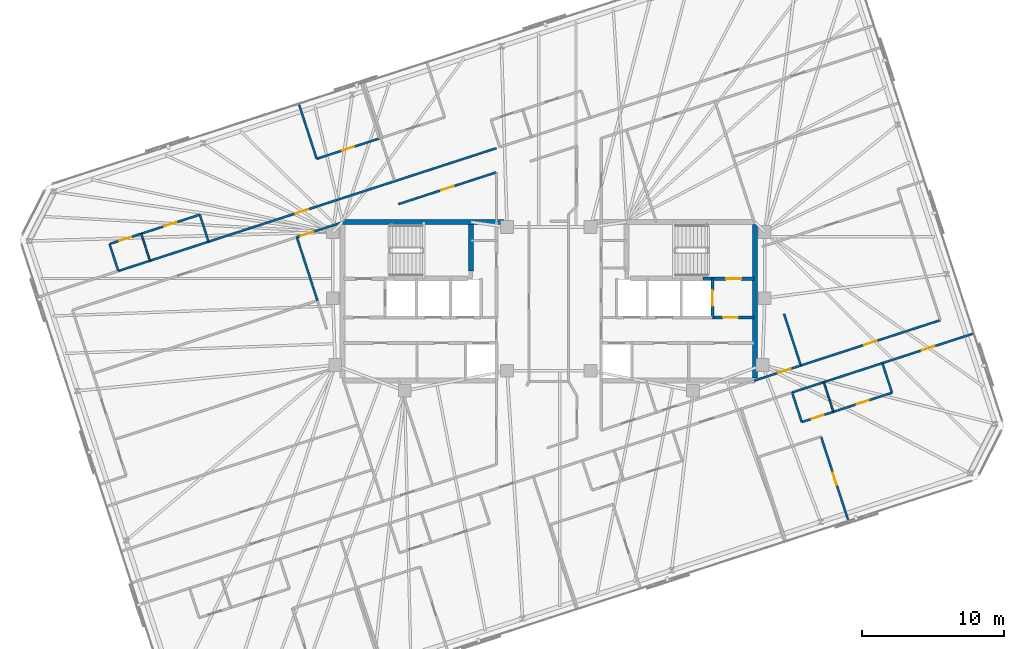
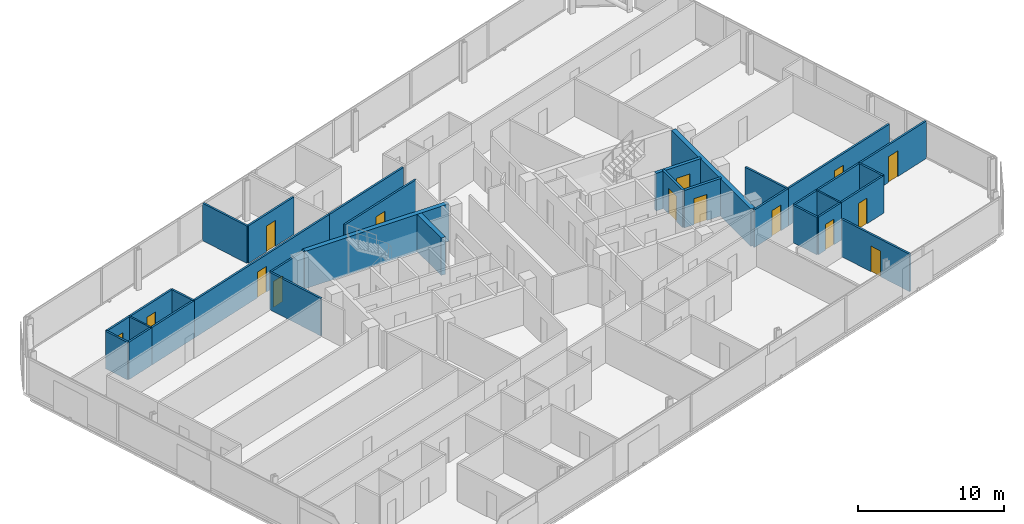
# One storey, part 16 of 19: 32 walls, 15 doors, 15 openings.
"""IFC4 building model written with IfcOpenShell, lengths in metres."""

from ifc_helpers import new_model, si_unit, direction, frame, frame_2d, origin, place, context, subcontext, project, spatial, rectangle, extrude, material, layer, layer_set, type_object, element, fill, save


model = new_model("IFC4")

# Units and contexts
model_context = context("Model", 3, precision=1e-05, world=origin(), true_north=direction((0.0, 1.0)))
body_context = subcontext(model_context, "Body", "Model", "MODEL_VIEW")
ifc_project = project(units=[si_unit("LENGTHUNIT", "METRE"), si_unit("AREAUNIT", "SQUARE_METRE"), si_unit("VOLUMEUNIT", "CUBIC_METRE"), si_unit("PLANEANGLEUNIT", "RADIAN"), si_unit("MASSUNIT", "GRAM", prefix="KILO")], contexts=[model_context])

# Site, building, storey
site_placement = place(None, origin())
site = spatial("IfcSite", under=ifc_project, at=site_placement, CompositionType="ELEMENT")
building_placement = place(site_placement, origin())
building = spatial("IfcBuilding", under=site, at=building_placement, Name="Menara Jurai Vektor", CompositionType="ELEMENT")
storey_placement = place(building_placement, frame((0.0, 0.0, 241.050048828125)))
storey = spatial("IfcBuildingStorey", under=building, at=storey_placement, Name="L64", CompositionType="ELEMENT", Elevation=241.050048828125)

# Wall, opening, door
ifc_material_1 = material(Name="Concrete C40/50", Category="concrete")
ifc_layer_1 = layer(ifc_material_1, 0.25)
ifc_layer_set_1 = layer_set([ifc_layer_1], Name="Concrete C40/50")
wall_type_1 = type_object("IfcWallType", Name="INT-WALL-CORE-250", PredefinedType="STANDARD", material=ifc_layer_set_1)
wall_1_placement = place(storey_placement, frame((10.89990234375, 1.60009765625, 0.0), z_axis=(0.0, 0.0, 1.0), x_axis=(1.0, 0.0, 0.0)))
wall_1 = element("IfcWall", 1, at=wall_1_placement, inside=storey, type_object=wall_type_1, Name="Interior Wall IW-250 L64", PredefinedType="STANDARD", context=body_context, shape_type="SweptSolid", body=[
    extrude(rectangle(XDim=3.60009765625, YDim=0.25, at=frame_2d((1.800048828125, 0.0))), origin(), (0.0, 0.0, 1.0), 3.125),
])
opening_1_placement = place(wall_1_placement, frame((1.6201171875, 0.0, 0.0)))
opening_1 = element("IfcOpeningElement", 2, at=opening_1_placement, cuts=wall_1, Name="Opening D-L64-ST2", PredefinedType="OPENING", context=body_context, shape_type="SweptSolid", body=[
    extrude(rectangle(XDim=1.050048828125, YDim=2.14990234375, at=frame_2d((0.52490234375, 1.074951171875))), frame((0.0, 0.135009765625, 0.0), z_axis=(0.0, -1.0, 0.0), x_axis=(1.0, 0.0, 0.0)), (0.0, 0.0, 1.0), 0.27001953125),
])
ifc_material_2 = material(Name="Fire-Rated Steel Door", Category="steel")
door_type_1 = type_object("IfcDoorType", Name="DR-STAIR-1050", OperationType="NOTDEFINED", PredefinedType="DOOR", material=ifc_material_2)
door_1_placement = place(opening_1_placement, origin())
door_1 = element("IfcDoor", 3, at=door_1_placement, inside=storey, type_object=door_type_1, Name="Exit Stair ST2 Door L64", OperationType="SINGLE_SWING_LEFT", OverallHeight=2.14990234375, OverallWidth=1.050048828125, PredefinedType="DOOR", context=body_context, shape_type="SweptSolid", body=[
    extrude(rectangle(XDim=1.050048828125, YDim=2.14990234375, at=frame_2d((0.52490234375, 1.074951171875))), frame((0.0, 0.02490234375, 0.0), z_axis=(0.0, -1.0, 0.0), x_axis=(1.0, 0.0, 0.0)), (0.0, 0.0, 1.0), 0.050048828125),
])
fill(opening_1, door_1)

wall_2_placement = place(storey_placement, frame((11.550048828125, -1.14990234375, 0.0), z_axis=(0.0, 0.0, 1.0), x_axis=(0.0, 1.0, 0.0)))
wall_2 = element("IfcWall", 4, at=wall_2_placement, inside=storey, type_object=wall_type_1, Name="Interior Wall IW-250 L64", PredefinedType="STANDARD", context=body_context, shape_type="SweptSolid", body=[
    extrude(rectangle(XDim=2.75, YDim=0.199951171875, at=frame_2d((1.375, 0.0))), origin(), (0.0, 0.0, 1.0), 3.125),
])
opening_2_placement = place(wall_2_placement, frame((0.824951171875, 0.0, 0.0)))
opening_2 = element("IfcOpeningElement", 5, at=opening_2_placement, cuts=wall_2, Name="Opening LD-L64-FL2", PredefinedType="OPENING", context=body_context, shape_type="SweptSolid", body=[
    extrude(rectangle(XDim=1.10009765625, YDim=2.14990234375, at=frame_2d((0.550048828125, 1.074951171875))), frame((0.0, 0.10986328125, 0.0), z_axis=(0.0, -1.0, 0.0), x_axis=(1.0, 0.0, 0.0)), (0.0, 0.0, 1.0), 0.219970703125),
])
ifc_material_3 = material(Name="Stainless Steel Sliding Lift Landing Door", Category="steel")
door_type_2 = type_object("IfcDoorType", Name="DR-LIFT-FIRE-1100", OperationType="NOTDEFINED", PredefinedType="DOOR", material=ifc_material_3)
door_2_placement = place(opening_2_placement, origin())
door_2 = element("IfcDoor", 6, at=door_2_placement, inside=storey, type_object=door_type_2, Name="Lift Landing Door FL2 L64", OperationType="SLIDING_TO_RIGHT", OverallHeight=2.14990234375, OverallWidth=1.10009765625, PredefinedType="DOOR", context=body_context, shape_type="SweptSolid", body=[
    extrude(rectangle(XDim=1.10009765625, YDim=2.14990234375, at=frame_2d((0.550048828125, 1.074951171875))), frame((0.0, 0.02490234375, 0.0), z_axis=(0.0, -1.0, 0.0), x_axis=(1.0, 0.0, 0.0)), (0.0, 0.0, 1.0), 0.050048828125),
])
fill(opening_2, door_2)

wall_3_placement = place(storey_placement, frame((11.550048828125, -1.14990234375, 0.0), z_axis=(0.0, 0.0, 1.0), x_axis=(1.0, 0.0, 0.0)))
wall_3 = element("IfcWall", 7, at=wall_3_placement, inside=storey, type_object=wall_type_1, Name="Interior Wall IW-250 L64", PredefinedType="STANDARD", context=body_context, shape_type="SweptSolid", body=[
    extrude(rectangle(XDim=2.949951171875, YDim=0.199951171875, at=frame_2d((1.47509765625, 0.0))), origin(), (0.0, 0.0, 1.0), 3.125),
])
opening_3_placement = place(wall_3_placement, frame((0.75, 0.0, 0.0)))
opening_3 = element("IfcOpeningElement", 8, at=opening_3_placement, cuts=wall_3, Name="Opening D-L64-FFE", PredefinedType="OPENING", context=body_context, shape_type="SweptSolid", body=[
    extrude(rectangle(XDim=1.050048828125, YDim=2.179931640625, at=frame_2d((0.52490234375, 1.08984375))), frame((0.0, 0.10986328125, 0.0), z_axis=(0.0, -1.0, 0.0), x_axis=(1.0, 0.0, 0.0)), (0.0, 0.0, 1.0), 0.219970703125),
])
ifc_material_4 = material(Name="Fire-Rated Timber Door", Category="wood")
door_type_3 = type_object("IfcDoorType", Name="DR-LOBBY-1050", OperationType="NOTDEFINED", PredefinedType="DOOR", material=ifc_material_4)
door_3_placement = place(opening_3_placement, origin())
door_3 = element("IfcDoor", 9, at=door_3_placement, inside=storey, type_object=door_type_3, Name="Fire Lift Lobby Door E L64", OperationType="SINGLE_SWING_LEFT", OverallHeight=2.179931640625, OverallWidth=1.050048828125, PredefinedType="DOOR", context=body_context, shape_type="SweptSolid", body=[
    extrude(rectangle(XDim=1.050048828125, YDim=2.179931640625, at=frame_2d((0.52490234375, 1.08984375))), frame((0.0, 0.02490234375, 0.0), z_axis=(0.0, -1.0, 0.0), x_axis=(1.0, 0.0, 0.0)), (0.0, 0.0, 1.0), 0.050048828125),
])
fill(opening_3, door_3)

ifc_material_5 = material(Name="Gypsum Fireboard Partition", Category="gypsum")
ifc_layer_2 = layer(ifc_material_5, 0.14990234375)
ifc_layer_set_2 = layer_set([ifc_layer_2], Name="Gypsum Fireboard Partition")
wall_type_2 = type_object("IfcWallType", Name="INT-WALL-CORR-150", PredefinedType="PARTITIONING", material=ifc_layer_set_2)
wall_4_placement = place(storey_placement, frame((-24.022216796875, 4.2099609375, 0.0), z_axis=(0.0, 0.0, 1.0), x_axis=(0.951058997127, 0.309009359055, 0.0)))
wall_4 = element("IfcWall", 10, at=wall_4_placement, inside=storey, type_object=wall_type_2, Name="Interior Wall IW-150 L64", PredefinedType="PARTITIONING", context=body_context, shape_type="SweptSolid", body=[
    extrude(rectangle(XDim=13.81689453125, YDim=0.14990234375, at=frame_2d((6.908447265625, 0.0))), origin(), (0.0, 0.0, 1.0), 3.125),
])
opening_4_placement = place(wall_4_placement, frame((6.43359375, 0.0, 0.0)))
opening_4 = element("IfcOpeningElement", 11, at=opening_4_placement, cuts=wall_4, Name="Opening D64-09", PredefinedType="OPENING", context=body_context, shape_type="SweptSolid", body=[
    extrude(rectangle(XDim=0.949951171875, YDim=2.14990234375, at=frame_2d((0.47509765625, 1.074951171875))), frame((0.0, 0.0849609375, 0.0), z_axis=(0.0, -1.0, 0.0), x_axis=(1.0, 0.0, 0.0)), (0.0, 0.0, 1.0), 0.169921875),
])
ifc_material_6 = material(Name="Solid Core Timber Fire Door", Category="wood")
door_type_4 = type_object("IfcDoorType", Name="DR-ENTRY-950", OperationType="NOTDEFINED", PredefinedType="DOOR", material=ifc_material_6)
door_4_placement = place(opening_4_placement, origin())
door_4 = element("IfcDoor", 12, at=door_4_placement, inside=storey, type_object=door_type_4, Name="Interior Door D64-09", OperationType="SINGLE_SWING_RIGHT", OverallHeight=2.14990234375, OverallWidth=0.949951171875, PredefinedType="DOOR", context=body_context, shape_type="SweptSolid", body=[
    extrude(rectangle(XDim=0.949951171875, YDim=2.14990234375, at=frame_2d((0.47509765625, 1.074951171875))), frame((0.0, 0.02490234375, 0.0), z_axis=(0.0, -1.0, 0.0), x_axis=(1.0, 0.0, 0.0)), (0.0, 0.0, 1.0), 0.050048828125),
])
fill(opening_4, door_4)

# Walls
wall_5_placement = place(storey_placement, frame((-30.394287109375, 2.139404296875, 0.0), z_axis=(0.0, 0.0, 1.0), x_axis=(0.951045519245, 0.309050837767, 0.0)))
element("IfcWall", 13, at=wall_5_placement, inside=storey, type_object=wall_type_2, Name="Interior Wall IW-150 L64", PredefinedType="PARTITIONING", context=body_context, shape_type="SweptSolid", body=[
    extrude(rectangle(XDim=2.35009765625, YDim=0.14990234375, at=frame_2d((1.175048828125, 0.0))), origin(), (0.0, 0.0, 1.0), 3.125),
])
wall_6_placement = place(storey_placement, frame((-28.1591796875, 2.86572265625, 0.0), z_axis=(0.0, 0.0, 1.0), x_axis=(0.951052627573, 0.309028962374, 0.0)))
element("IfcWall", 14, at=wall_6_placement, inside=storey, type_object=wall_type_2, Name="Interior Wall IW-150 L64", PredefinedType="PARTITIONING", context=body_context, shape_type="SweptSolid", body=[
    extrude(rectangle(XDim=4.349853515625, YDim=0.14990234375, at=frame_2d((2.1748046875, 0.0))), origin(), (0.0, 0.0, 1.0), 3.125),
])
wall_7_placement = place(storey_placement, frame((-10.881591796875, 8.4794921875, 0.0), z_axis=(0.0, 0.0, 1.0), x_axis=(0.951051887333, 0.309031240494, 0.0)))
element("IfcWall", 15, at=wall_7_placement, inside=storey, type_object=wall_type_2, Name="Interior Wall IW-150 L64", PredefinedType="PARTITIONING", context=body_context, shape_type="SweptSolid", body=[
    extrude(rectangle(XDim=7.551025390625, YDim=0.14990234375, at=frame_2d((3.775390625, 0.0))), origin(), (0.0, 0.0, 1.0), 3.125),
])

# Wall, opening, door
wall_8_placement = place(storey_placement, frame((23.54931640625, -4.36328125, 0.0), z_axis=(0.0, 0.0, 1.0), x_axis=(0.951054649174, 0.309022740723, 0.0)))
wall_8 = element("IfcWall", 16, at=wall_8_placement, inside=storey, type_object=wall_type_2, Name="Interior Wall IW-150 L64", PredefinedType="PARTITIONING", context=body_context, shape_type="SweptSolid", body=[
    extrude(rectangle(XDim=6.799072265625, YDim=0.14990234375, at=frame_2d((3.3994140625, 0.0))), origin(), (0.0, 0.0, 1.0), 3.125),
])
opening_5_placement = place(wall_8_placement, frame((2.924560546875, 0.0, 0.0)))
opening_5 = element("IfcOpeningElement", 17, at=opening_5_placement, cuts=wall_8, Name="Opening D64-29", PredefinedType="OPENING", context=body_context, shape_type="SweptSolid", body=[
    extrude(rectangle(XDim=0.949951171875, YDim=2.14990234375, at=frame_2d((0.47509765625, 1.074951171875))), frame((0.0, 0.0849609375, 0.0), z_axis=(0.0, -1.0, 0.0), x_axis=(1.0, 0.0, 0.0)), (0.0, 0.0, 1.0), 0.169921875),
])
door_5_placement = place(opening_5_placement, origin())
door_5 = element("IfcDoor", 18, at=door_5_placement, inside=storey, type_object=door_type_4, Name="Interior Door D64-29", OperationType="SINGLE_SWING_RIGHT", OverallHeight=2.14990234375, OverallWidth=0.949951171875, PredefinedType="DOOR", context=body_context, shape_type="SweptSolid", body=[
    extrude(rectangle(XDim=0.949951171875, YDim=2.14990234375, at=frame_2d((0.47509765625, 1.074951171875))), frame((0.0, 0.02490234375, 0.0), z_axis=(0.0, -1.0, 0.0), x_axis=(1.0, 0.0, 0.0)), (0.0, 0.0, 1.0), 0.050048828125),
])
fill(opening_5, door_5)

# Walls
wall_9_placement = place(storey_placement, frame((17.17724609375, -6.43359375, 0.0), z_axis=(0.0, 0.0, 1.0), x_axis=(0.951066131077, 0.308987401554, 0.0)))
element("IfcWall", 19, at=wall_9_placement, inside=storey, type_object=wall_type_2, Name="Interior Wall IW-150 L64", PredefinedType="PARTITIONING", context=body_context, shape_type="SweptSolid", body=[
    extrude(rectangle(XDim=2.349853515625, YDim=0.14990234375, at=frame_2d((1.1748046875, 0.0))), origin(), (0.0, 0.0, 1.0), 3.125),
])
wall_10_placement = place(storey_placement, frame((19.412109375, -5.70751953125, 0.0), z_axis=(0.0, 0.0, 1.0), x_axis=(0.951057987102, 0.309012467661, 0.0)))
element("IfcWall", 20, at=wall_10_placement, inside=storey, type_object=wall_type_2, Name="Interior Wall IW-150 L64", PredefinedType="PARTITIONING", context=body_context, shape_type="SweptSolid", body=[
    extrude(rectangle(XDim=4.35009765625, YDim=0.14990234375, at=frame_2d((2.175048828125, 0.0))), origin(), (0.0, 0.0, 1.0), 3.125),
])

# Wall, opening, door
wall_11_placement = place(storey_placement, frame((14.499755859375, -5.600341796875, 0.0), z_axis=(0.0, 0.0, 1.0), x_axis=(0.951047546178, 0.309044600193, 0.0)))
wall_11 = element("IfcWall", 21, at=wall_11_placement, inside=storey, type_object=wall_type_2, Name="Interior Wall IW-150 L64", PredefinedType="PARTITIONING", context=body_context, shape_type="SweptSolid", body=[
    extrude(rectangle(XDim=3.4609375, YDim=0.14990234375, at=frame_2d((1.73046875, 0.0))), origin(), (0.0, 0.0, 1.0), 3.125),
])
opening_6_placement = place(wall_11_placement, frame((1.78955078125, 0.0, 0.0)))
opening_6 = element("IfcOpeningElement", 22, at=opening_6_placement, cuts=wall_11, Name="Opening D64-41", PredefinedType="OPENING", context=body_context, shape_type="SweptSolid", body=[
    extrude(rectangle(XDim=0.919921875, YDim=2.14990234375, at=frame_2d((0.4599609375, 1.074951171875))), frame((0.0, 0.0849609375, 0.0), z_axis=(0.0, -1.0, 0.0), x_axis=(1.0, 0.0, 0.0)), (0.0, 0.0, 1.0), 0.169921875),
])
door_6_placement = place(opening_6_placement, origin())
door_6 = element("IfcDoor", 23, at=door_6_placement, inside=storey, type_object=door_type_4, Name="Interior Door D64-41", OperationType="SINGLE_SWING_RIGHT", OverallHeight=2.14990234375, OverallWidth=0.919921875, PredefinedType="DOOR", context=body_context, shape_type="SweptSolid", body=[
    extrude(rectangle(XDim=0.919921875, YDim=2.14990234375, at=frame_2d((0.4599609375, 1.074951171875))), frame((0.0, 0.02490234375, 0.0), z_axis=(0.0, -1.0, 0.0), x_axis=(1.0, 0.0, 0.0)), (0.0, 0.0, 1.0), 0.050048828125),
])
fill(opening_6, door_6)

wall_12_placement = place(storey_placement, frame((-17.79150390625, 4.531005859375, 0.0), z_axis=(0.0, 0.0, 1.0), x_axis=(0.951047546178, 0.309044600193, 0.0)))
wall_12 = element("IfcWall", 24, at=wall_12_placement, inside=storey, type_object=wall_type_2, Name="Interior Wall IW-150 L64", PredefinedType="PARTITIONING", context=body_context, shape_type="SweptSolid", body=[
    extrude(rectangle(XDim=3.4609375, YDim=0.14990234375, at=frame_2d((1.73046875, 0.0))), origin(), (0.0, 0.0, 1.0), 3.125),
])
opening_7_placement = place(wall_12_placement, frame((0.301513671875, 0.0, 0.0)))
opening_7 = element("IfcOpeningElement", 25, at=opening_7_placement, cuts=wall_12, Name="Opening D64-46", PredefinedType="OPENING", context=body_context, shape_type="SweptSolid", body=[
    extrude(rectangle(XDim=0.919921875, YDim=2.14990234375, at=frame_2d((0.4599609375, 1.074951171875))), frame((0.0, 0.0849609375, 0.0), z_axis=(0.0, -1.0, 0.0), x_axis=(1.0, 0.0, 0.0)), (0.0, 0.0, 1.0), 0.169921875),
])
door_7_placement = place(opening_7_placement, origin())
door_7 = element("IfcDoor", 26, at=door_7_placement, inside=storey, type_object=door_type_4, Name="Interior Door D64-46", OperationType="SINGLE_SWING_LEFT", OverallHeight=2.14990234375, OverallWidth=0.919921875, PredefinedType="DOOR", context=body_context, shape_type="SweptSolid", body=[
    extrude(rectangle(XDim=0.919921875, YDim=2.14990234375, at=frame_2d((0.4599609375, 1.074951171875))), frame((0.0, 0.02490234375, 0.0), z_axis=(0.0, -1.0, 0.0), x_axis=(1.0, 0.0, 0.0)), (0.0, 0.0, 1.0), 0.050048828125),
])
fill(opening_7, door_7)

wall_13_placement = place(storey_placement, frame((-10.612060546875, 6.86376953125, 0.0), z_axis=(0.0, 0.0, 1.0), x_axis=(0.951060972078, 0.309003280548, 0.0)))
wall_13 = element("IfcWall", 27, at=wall_13_placement, inside=storey, type_object=wall_type_2, Name="Interior Wall IW-150 L64", PredefinedType="PARTITIONING", context=body_context, shape_type="SweptSolid", body=[
    extrude(rectangle(XDim=7.26806640625, YDim=0.14990234375, at=frame_2d((3.634033203125, 0.0))), origin(), (0.0, 0.0, 1.0), 3.125),
])
opening_8_placement = place(wall_13_placement, frame((3.174072265625, 0.0, 0.0)))
opening_8 = element("IfcOpeningElement", 28, at=opening_8_placement, cuts=wall_13, Name="Opening D64-48", PredefinedType="OPENING", context=body_context, shape_type="SweptSolid", body=[
    extrude(rectangle(XDim=0.919921875, YDim=2.14990234375, at=frame_2d((0.4599609375, 1.074951171875))), frame((0.0, 0.0849609375, 0.0), z_axis=(0.0, -1.0, 0.0), x_axis=(1.0, 0.0, 0.0)), (0.0, 0.0, 1.0), 0.169921875),
])
door_8_placement = place(opening_8_placement, origin())
door_8 = element("IfcDoor", 29, at=door_8_placement, inside=storey, type_object=door_type_4, Name="Interior Door D64-48", OperationType="SINGLE_SWING_LEFT", OverallHeight=2.14990234375, OverallWidth=0.919921875, PredefinedType="DOOR", context=body_context, shape_type="SweptSolid", body=[
    extrude(rectangle(XDim=0.919921875, YDim=2.14990234375, at=frame_2d((0.4599609375, 1.074951171875))), frame((0.0, 0.02490234375, 0.0), z_axis=(0.0, -1.0, 0.0), x_axis=(1.0, 0.0, 0.0)), (0.0, 0.0, 1.0), 0.050048828125),
])
fill(opening_8, door_8)

wall_14_placement = place(storey_placement, frame((17.791259765625, -4.53076171875, 0.0), z_axis=(0.0, 0.0, 1.0), x_axis=(0.951056769902, 0.309016213852, 0.0)))
wall_14 = element("IfcWall", 30, at=wall_14_placement, inside=storey, type_object=wall_type_2, Name="Interior Wall IW-150 L64", PredefinedType="PARTITIONING", context=body_context, shape_type="SweptSolid", body=[
    extrude(rectangle(XDim=10.35205078125, YDim=0.14990234375, at=frame_2d((5.176025390625, 0.0))), origin(), (0.0, 0.0, 1.0), 3.125),
])
opening_9_placement = place(wall_14_placement, frame((4.716064453125, 0.0, 0.0)))
opening_9 = element("IfcOpeningElement", 31, at=opening_9_placement, cuts=wall_14, Name="Opening D64-49", PredefinedType="OPENING", context=body_context, shape_type="SweptSolid", body=[
    extrude(rectangle(XDim=0.919921875, YDim=2.14990234375, at=frame_2d((0.4599609375, 1.074951171875))), frame((0.0, 0.0849609375, 0.0), z_axis=(0.0, -1.0, 0.0), x_axis=(1.0, 0.0, 0.0)), (0.0, 0.0, 1.0), 0.169921875),
])
door_9_placement = place(opening_9_placement, origin())
door_9 = element("IfcDoor", 32, at=door_9_placement, inside=storey, type_object=door_type_4, Name="Interior Door D64-49", OperationType="SINGLE_SWING_RIGHT", OverallHeight=2.14990234375, OverallWidth=0.919921875, PredefinedType="DOOR", context=body_context, shape_type="SweptSolid", body=[
    extrude(rectangle(XDim=0.919921875, YDim=2.14990234375, at=frame_2d((0.4599609375, 1.074951171875))), frame((0.0, 0.02490234375, 0.0), z_axis=(0.0, -1.0, 0.0), x_axis=(1.0, 0.0, 0.0)), (0.0, 0.0, 1.0), 0.050048828125),
])
fill(opening_9, door_9)

# Wall
wall_15_placement = place(storey_placement, frame((-30.394287109375, 2.139404296875, 0.0), z_axis=(0.0, 0.0, 1.0), x_axis=(-0.309022749039, 0.951054646472, 0.0)))
element("IfcWall", 33, at=wall_15_placement, inside=storey, type_object=wall_type_2, Name="Interior Wall IW-150 L64", PredefinedType="PARTITIONING", context=body_context, shape_type="SweptSolid", body=[
    extrude(rectangle(XDim=2.005126953125, YDim=0.14990234375, at=frame_2d((1.00244140625, 0.0))), origin(), (0.0, 0.0, 1.0), 3.125),
])

# Wall, opening, door
wall_16_placement = place(storey_placement, frame((-31.013916015625, 4.04638671875, 0.0), z_axis=(0.0, 0.0, 1.0), x_axis=(0.951076048914, 0.308956872689, 0.0)))
wall_16 = element("IfcWall", 34, at=wall_16_placement, inside=storey, type_object=wall_type_2, Name="Interior Wall IW-150 L64", PredefinedType="PARTITIONING", context=body_context, shape_type="SweptSolid", body=[
    extrude(rectangle(XDim=2.35009765625, YDim=0.14990234375, at=frame_2d((1.175048828125, 0.0))), origin(), (0.0, 0.0, 1.0), 3.125),
])
opening_10_placement = place(wall_16_placement, frame((0.735107421875, 0.0, 0.0)))
opening_10 = element("IfcOpeningElement", 35, at=opening_10_placement, cuts=wall_16, Name="Opening D64-10", PredefinedType="OPENING", context=body_context, shape_type="SweptSolid", body=[
    extrude(rectangle(XDim=0.8798828125, YDim=2.14990234375, at=frame_2d((0.43994140625, 1.074951171875))), frame((0.0, 0.0849609375, 0.0), z_axis=(0.0, -1.0, 0.0), x_axis=(1.0, 0.0, 0.0)), (0.0, 0.0, 1.0), 0.169921875),
])
ifc_material_7 = material(Name="Moisture-Resistant Timber Door", Category="wood")
door_type_5 = type_object("IfcDoorType", Name="DR-BATH-880", OperationType="NOTDEFINED", PredefinedType="DOOR", material=ifc_material_7)
door_10_placement = place(opening_10_placement, origin())
door_10 = element("IfcDoor", 36, at=door_10_placement, inside=storey, type_object=door_type_5, Name="Interior Door D64-10", OperationType="SINGLE_SWING_LEFT", OverallHeight=2.14990234375, OverallWidth=0.8798828125, PredefinedType="DOOR", context=body_context, shape_type="SweptSolid", body=[
    extrude(rectangle(XDim=0.8798828125, YDim=2.14990234375, at=frame_2d((0.43994140625, 1.074951171875))), frame((0.0, 0.02490234375, 0.0), z_axis=(0.0, -1.0, 0.0), x_axis=(1.0, 0.0, 0.0)), (0.0, 0.0, 1.0), 0.050048828125),
])
fill(opening_10, door_10)

wall_17_placement = place(storey_placement, frame((-28.77880859375, 4.7724609375, 0.0), z_axis=(0.0, 0.0, 1.0), x_axis=(0.951052627573, 0.309028962374, 0.0)))
wall_17 = element("IfcWall", 37, at=wall_17_placement, inside=storey, type_object=wall_type_2, Name="Interior Wall IW-150 L64", PredefinedType="PARTITIONING", context=body_context, shape_type="SweptSolid", body=[
    extrude(rectangle(XDim=4.349853515625, YDim=0.14990234375, at=frame_2d((2.1748046875, 0.0))), origin(), (0.0, 0.0, 1.0), 3.125),
])
opening_11_placement = place(wall_17_placement, frame((1.72509765625, 0.0, 0.0)))
opening_11 = element("IfcOpeningElement", 38, at=opening_11_placement, cuts=wall_17, Name="Opening D64-11", PredefinedType="OPENING", context=body_context, shape_type="SweptSolid", body=[
    extrude(rectangle(XDim=0.89990234375, YDim=2.14990234375, at=frame_2d((0.449951171875, 1.074951171875))), frame((0.0, 0.0849609375, 0.0), z_axis=(0.0, -1.0, 0.0), x_axis=(1.0, 0.0, 0.0)), (0.0, 0.0, 1.0), 0.169921875),
])
ifc_material_8 = material(Name="Acoustic Timber Interior Door", Category="wood")
door_type_6 = type_object("IfcDoorType", Name="DR-ROOM-900", OperationType="NOTDEFINED", PredefinedType="DOOR", material=ifc_material_8)
door_11_placement = place(opening_11_placement, origin())
door_11 = element("IfcDoor", 39, at=door_11_placement, inside=storey, type_object=door_type_6, Name="Interior Door D64-11", OperationType="SINGLE_SWING_RIGHT", OverallHeight=2.14990234375, OverallWidth=0.89990234375, PredefinedType="DOOR", context=body_context, shape_type="SweptSolid", body=[
    extrude(rectangle(XDim=0.89990234375, YDim=2.14990234375, at=frame_2d((0.449951171875, 1.074951171875))), frame((0.0, 0.02490234375, 0.0), z_axis=(0.0, -1.0, 0.0), x_axis=(1.0, 0.0, 0.0)), (0.0, 0.0, 1.0), 0.050048828125),
])
fill(opening_11, door_11)

# Walls
wall_18_placement = place(storey_placement, frame((-24.022216796875, 4.2099609375, 0.0), z_axis=(0.0, 0.0, 1.0), x_axis=(-0.309058537449, 0.951043017129, 0.0)))
element("IfcWall", 40, at=wall_18_placement, inside=storey, type_object=wall_type_2, Name="Interior Wall IW-150 L64", PredefinedType="PARTITIONING", context=body_context, shape_type="SweptSolid", body=[
    extrude(rectangle(XDim=2.0048828125, YDim=0.14990234375, at=frame_2d((1.00244140625, 0.0))), origin(), (0.0, 0.0, 1.0), 3.125),
])
wall_19_placement = place(storey_placement, frame((-16.389404296875, 10.059814453125, 0.0), z_axis=(0.0, 0.0, 1.0), x_axis=(-0.309018403393, 0.951056058476, 0.0)))
element("IfcWall", 41, at=wall_19_placement, inside=storey, type_object=wall_type_2, Name="Interior Wall IW-150 L64", PredefinedType="PARTITIONING", context=body_context, shape_type="SweptSolid", body=[
    extrude(rectangle(XDim=4.0791015625, YDim=0.14990234375, at=frame_2d((2.03955078125, 0.0))), origin(), (0.0, 0.0, 1.0), 3.125),
])

# Wall, opening, door
wall_20_placement = place(storey_placement, frame((-16.389404296875, 10.059814453125, 0.0), z_axis=(0.0, 0.0, 1.0), x_axis=(0.951050272606, 0.309036209813, 0.0)))
wall_20 = element("IfcWall", 42, at=wall_20_placement, inside=storey, type_object=wall_type_2, Name="Interior Wall IW-150 L64", PredefinedType="PARTITIONING", context=body_context, shape_type="SweptSolid", body=[
    extrude(rectangle(XDim=4.64990234375, YDim=0.14990234375, at=frame_2d((2.324951171875, 0.0))), origin(), (0.0, 0.0, 1.0), 3.125),
])
opening_12_placement = place(wall_20_placement, frame((1.875, 0.0, 0.0)))
opening_12 = element("IfcOpeningElement", 43, at=opening_12_placement, cuts=wall_20, Name="Opening D64-12", PredefinedType="OPENING", context=body_context, shape_type="SweptSolid", body=[
    extrude(rectangle(XDim=0.89990234375, YDim=2.14990234375, at=frame_2d((0.449951171875, 1.074951171875))), frame((0.0, 0.0849609375, 0.0), z_axis=(0.0, -1.0, 0.0), x_axis=(1.0, 0.0, 0.0)), (0.0, 0.0, 1.0), 0.169921875),
])
door_12_placement = place(opening_12_placement, origin())
door_12 = element("IfcDoor", 44, at=door_12_placement, inside=storey, type_object=door_type_6, Name="Interior Door D64-12", OperationType="SINGLE_SWING_LEFT", OverallHeight=2.14990234375, OverallWidth=0.89990234375, PredefinedType="DOOR", context=body_context, shape_type="SweptSolid", body=[
    extrude(rectangle(XDim=0.89990234375, YDim=2.14990234375, at=frame_2d((0.449951171875, 1.074951171875))), frame((0.0, 0.02490234375, 0.0), z_axis=(0.0, -1.0, 0.0), x_axis=(1.0, 0.0, 0.0)), (0.0, 0.0, 1.0), 0.050048828125),
])
fill(opening_12, door_12)

# Wall
wall_21_placement = place(storey_placement, frame((17.857177734375, -8.52587890625, 0.0), z_axis=(0.0, 0.0, 1.0), x_axis=(-0.309060979314, 0.951042223598, 0.0)))
element("IfcWall", 45, at=wall_21_placement, inside=storey, type_object=wall_type_2, Name="Interior Wall IW-150 L64", PredefinedType="PARTITIONING", context=body_context, shape_type="SweptSolid", body=[
    extrude(rectangle(XDim=2.199951171875, YDim=0.14990234375, at=frame_2d((1.10009765625, 0.0))), origin(), (0.0, 0.0, 1.0), 3.125),
])

# Wall, opening, door
wall_22_placement = place(storey_placement, frame((17.857177734375, -8.52587890625, 0.0), z_axis=(0.0, 0.0, 1.0), x_axis=(0.951066131077, 0.308987401554, 0.0)))
wall_22 = element("IfcWall", 46, at=wall_22_placement, inside=storey, type_object=wall_type_2, Name="Interior Wall IW-150 L64", PredefinedType="PARTITIONING", context=body_context, shape_type="SweptSolid", body=[
    extrude(rectangle(XDim=2.349853515625, YDim=0.14990234375, at=frame_2d((1.1748046875, 0.0))), origin(), (0.0, 0.0, 1.0), 3.125),
])
opening_13_placement = place(wall_22_placement, frame((0.735107421875, 0.0, 0.0)))
opening_13 = element("IfcOpeningElement", 47, at=opening_13_placement, cuts=wall_22, Name="Opening D64-30", PredefinedType="OPENING", context=body_context, shape_type="SweptSolid", body=[
    extrude(rectangle(XDim=0.8798828125, YDim=2.14990234375, at=frame_2d((0.43994140625, 1.074951171875))), frame((0.0, 0.0849609375, 0.0), z_axis=(0.0, -1.0, 0.0), x_axis=(1.0, 0.0, 0.0)), (0.0, 0.0, 1.0), 0.169921875),
])
door_13_placement = place(opening_13_placement, origin())
door_13 = element("IfcDoor", 48, at=door_13_placement, inside=storey, type_object=door_type_5, Name="Interior Door D64-30", OperationType="SINGLE_SWING_LEFT", OverallHeight=2.14990234375, OverallWidth=0.8798828125, PredefinedType="DOOR", context=body_context, shape_type="SweptSolid", body=[
    extrude(rectangle(XDim=0.8798828125, YDim=2.14990234375, at=frame_2d((0.43994140625, 1.074951171875))), frame((0.0, 0.02490234375, 0.0), z_axis=(0.0, -1.0, 0.0), x_axis=(1.0, 0.0, 0.0)), (0.0, 0.0, 1.0), 0.050048828125),
])
fill(opening_13, door_13)

wall_23_placement = place(storey_placement, frame((20.092041015625, -7.7998046875, 0.0), z_axis=(0.0, 0.0, 1.0), x_axis=(0.951057987102, 0.309012467661, 0.0)))
wall_23 = element("IfcWall", 49, at=wall_23_placement, inside=storey, type_object=wall_type_2, Name="Interior Wall IW-150 L64", PredefinedType="PARTITIONING", context=body_context, shape_type="SweptSolid", body=[
    extrude(rectangle(XDim=4.35009765625, YDim=0.14990234375, at=frame_2d((2.175048828125, 0.0))), origin(), (0.0, 0.0, 1.0), 3.125),
])
opening_14_placement = place(wall_23_placement, frame((1.72509765625, 0.0, 0.0)))
opening_14 = element("IfcOpeningElement", 50, at=opening_14_placement, cuts=wall_23, Name="Opening D64-31", PredefinedType="OPENING", context=body_context, shape_type="SweptSolid", body=[
    extrude(rectangle(XDim=0.89990234375, YDim=2.14990234375, at=frame_2d((0.449951171875, 1.074951171875))), frame((0.0, 0.0849609375, 0.0), z_axis=(0.0, -1.0, 0.0), x_axis=(1.0, 0.0, 0.0)), (0.0, 0.0, 1.0), 0.169921875),
])
door_14_placement = place(opening_14_placement, origin())
door_14 = element("IfcDoor", 51, at=door_14_placement, inside=storey, type_object=door_type_6, Name="Interior Door D64-31", OperationType="SINGLE_SWING_RIGHT", OverallHeight=2.14990234375, OverallWidth=0.89990234375, PredefinedType="DOOR", context=body_context, shape_type="SweptSolid", body=[
    extrude(rectangle(XDim=0.89990234375, YDim=2.14990234375, at=frame_2d((0.449951171875, 1.074951171875))), frame((0.0, 0.02490234375, 0.0), z_axis=(0.0, -1.0, 0.0), x_axis=(1.0, 0.0, 0.0)), (0.0, 0.0, 1.0), 0.050048828125),
])
fill(opening_14, door_14)

# Wall
wall_24_placement = place(storey_placement, frame((24.229248046875, -6.45556640625, 0.0), z_axis=(0.0, 0.0, 1.0), x_axis=(-0.309060979314, 0.951042223598, 0.0)))
element("IfcWall", 52, at=wall_24_placement, inside=storey, type_object=wall_type_2, Name="Interior Wall IW-150 L64", PredefinedType="PARTITIONING", context=body_context, shape_type="SweptSolid", body=[
    extrude(rectangle(XDim=2.199951171875, YDim=0.14990234375, at=frame_2d((1.10009765625, 0.0))), origin(), (0.0, 0.0, 1.0), 3.125),
])

# Wall, opening, door
wall_25_placement = place(storey_placement, frame((21.154052734375, -15.510986328125, 0.0), z_axis=(0.0, 0.0, 1.0), x_axis=(-0.30902524124, 0.951053836687, 0.0)))
wall_25 = element("IfcWall", 53, at=wall_25_placement, inside=storey, type_object=wall_type_2, Name="Interior Wall IW-150 L64", PredefinedType="PARTITIONING", context=body_context, shape_type="SweptSolid", body=[
    extrude(rectangle(XDim=6.26171875, YDim=0.14990234375, at=frame_2d((3.130859375, 0.0))), origin(), (0.0, 0.0, 1.0), 3.125),
])
opening_15_placement = place(wall_25_placement, frame((2.680908203125, 0.0, 0.0)))
opening_15 = element("IfcOpeningElement", 54, at=opening_15_placement, cuts=wall_25, Name="Opening D64-32", PredefinedType="OPENING", context=body_context, shape_type="SweptSolid", body=[
    extrude(rectangle(XDim=0.89990234375, YDim=2.14990234375, at=frame_2d((0.449951171875, 1.074951171875))), frame((0.0, 0.0849609375, 0.0), z_axis=(0.0, -1.0, 0.0), x_axis=(1.0, 0.0, 0.0)), (0.0, 0.0, 1.0), 0.169921875),
])
door_15_placement = place(opening_15_placement, origin())
door_15 = element("IfcDoor", 55, at=door_15_placement, inside=storey, type_object=door_type_6, Name="Interior Door D64-32", OperationType="SINGLE_SWING_LEFT", OverallHeight=2.14990234375, OverallWidth=0.89990234375, PredefinedType="DOOR", context=body_context, shape_type="SweptSolid", body=[
    extrude(rectangle(XDim=0.89990234375, YDim=2.14990234375, at=frame_2d((0.449951171875, 1.074951171875))), frame((0.0, 0.02490234375, 0.0), z_axis=(0.0, -1.0, 0.0), x_axis=(1.0, 0.0, 0.0)), (0.0, 0.0, 1.0), 0.050048828125),
])
fill(opening_15, door_15)

# Walls
wall_26_placement = place(storey_placement, frame((-16.3369140625, 0.054443359375, 0.0), z_axis=(0.0, 0.0, 1.0), x_axis=(-0.309029776355, 0.951052363083, 0.0)))
element("IfcWall", 56, at=wall_26_placement, inside=storey, type_object=wall_type_2, Name="Interior Wall IW-150 L64", PredefinedType="PARTITIONING", context=body_context, shape_type="SweptSolid", body=[
    extrude(rectangle(XDim=4.70703125, YDim=0.14990234375, at=frame_2d((2.353515625, 0.0))), origin(), (0.0, 0.0, 1.0), 3.125),
])
wall_27_placement = place(storey_placement, frame((17.791259765625, -4.53076171875, 0.0), z_axis=(0.0, 0.0, 1.0), x_axis=(-0.309018414265, 0.951056054944, 0.0)))
element("IfcWall", 57, at=wall_27_placement, inside=storey, type_object=wall_type_2, Name="Interior Wall IW-150 L64", PredefinedType="PARTITIONING", context=body_context, shape_type="SweptSolid", body=[
    extrude(rectangle(XDim=3.8349609375, YDim=0.14990234375, at=frame_2d((1.91748046875, 0.0))), origin(), (0.0, 0.0, 1.0), 3.125),
])
ifc_material_9 = material(Name="Gypsum Acoustic Stud Partition", Category="gypsum")
ifc_layer_3 = layer(ifc_material_9, 0.1201171875)
ifc_layer_set_3 = layer_set([ifc_layer_3], Name="Gypsum Acoustic Stud Partition")
wall_type_3 = type_object("IfcWallType", Name="INT-WALL-PART-120", PredefinedType="PARTITIONING", material=ifc_layer_set_3)
wall_28_placement = place(storey_placement, frame((-28.1591796875, 2.86572265625, 0.0), z_axis=(0.0, 0.0, 1.0), x_axis=(-0.309058537449, 0.951043017129, 0.0)))
element("IfcWall", 58, at=wall_28_placement, inside=storey, type_object=wall_type_3, Name="Interior Wall IW-120 L64", PredefinedType="PARTITIONING", context=body_context, shape_type="SweptSolid", body=[
    extrude(rectangle(XDim=2.0048828125, YDim=0.1201171875, at=frame_2d((1.00244140625, 0.0))), origin(), (0.0, 0.0, 1.0), 3.125),
])
wall_29_placement = place(storey_placement, frame((20.092041015625, -7.7998046875, 0.0), z_axis=(0.0, 0.0, 1.0), x_axis=(-0.309060979314, 0.951042223598, 0.0)))
element("IfcWall", 59, at=wall_29_placement, inside=storey, type_object=wall_type_3, Name="Interior Wall IW-120 L64", PredefinedType="PARTITIONING", context=body_context, shape_type="SweptSolid", body=[
    extrude(rectangle(XDim=2.199951171875, YDim=0.1201171875, at=frame_2d((1.10009765625, 0.0))), origin(), (0.0, 0.0, 1.0), 3.125),
])
ifc_material_10 = material(Name="Concrete C50/60", Category="concrete")
ifc_layer_4 = layer(ifc_material_10, 0.35009765625)
ifc_layer_set_4 = layer_set([ifc_layer_4], Name="Concrete C50/60")
wall_type_4 = type_object("IfcWallType", Name="STR-WALL-CORE350", PredefinedType="SHEAR", material=ifc_layer_set_4)
wall_30_placement = place(storey_placement, frame((-14.56005859375, 5.60009765625, 0.0), z_axis=(0.0, 0.0, 1.0), x_axis=(1.0, 0.0, 0.0)))
element("IfcWall", 60, at=wall_30_placement, inside=storey, type_object=wall_type_4, Name="Core Shear Wall CW-W-N L64", PredefinedType="SHEAR", context=body_context, shape_type="SweptSolid", body=[
    extrude(rectangle(XDim=11.41015625, YDim=0.35009765625, at=frame_2d((5.705078125, 0.0))), origin(), (0.0, 0.0, 1.0), 3.125),
])
wall_31_placement = place(storey_placement, frame((-5.5, 2.14990234375, 0.0), z_axis=(0.0, 0.0, 1.0), x_axis=(0.0, 1.0, 0.0)))
element("IfcWall", 61, at=wall_31_placement, inside=storey, type_object=wall_type_4, Name="Core Shear Wall CW-W-ST L64", PredefinedType="SHEAR", context=body_context, shape_type="SweptSolid", body=[
    extrude(rectangle(XDim=3.275146484375, YDim=0.35009765625, at=frame_2d((1.6376953125, 0.0))), origin(), (0.0, 0.0, 1.0), 3.125),
])
wall_32_placement = place(storey_placement, frame((14.56005859375, -5.425048828125, 0.0), z_axis=(0.0, 0.0, 1.0), x_axis=(0.0, 1.0, 0.0)))
element("IfcWall", 62, at=wall_32_placement, inside=storey, type_object=wall_type_4, Name="Core Shear Wall CW-E-E L64", PredefinedType="SHEAR", context=body_context, shape_type="SweptSolid", body=[
    extrude(rectangle(XDim=10.85009765625, YDim=0.35009765625, at=frame_2d((5.425048828125, 0.0))), origin(), (0.0, 0.0, 1.0), 3.125),
])

save(model, "model.ifc")
